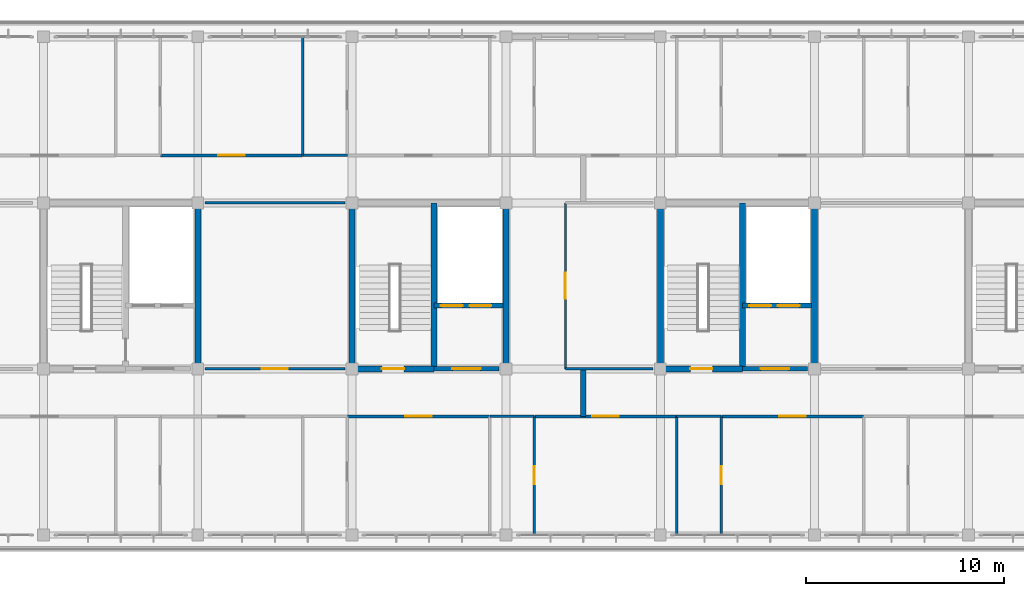
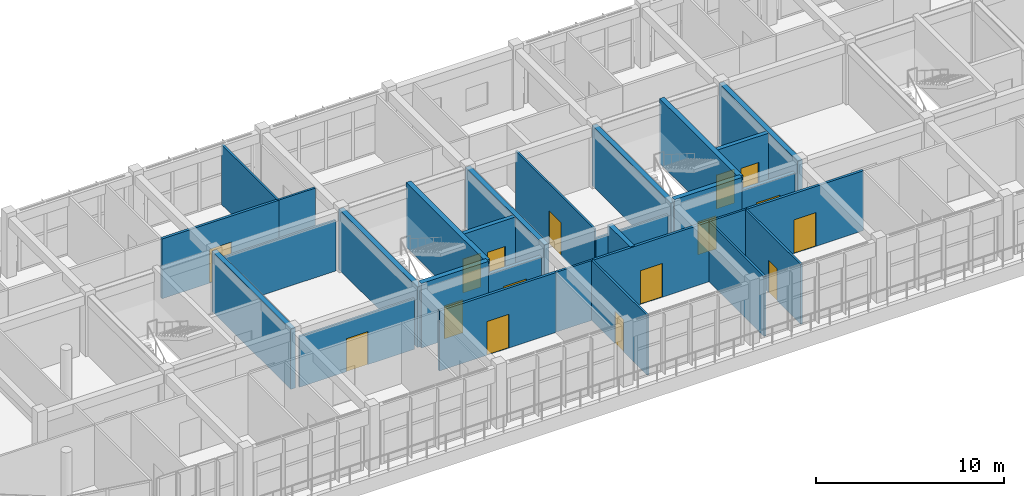
# One storey, part 43 of 50: 29 walls, 16 doors, 16 openings.
"""IFC4 building model written with IfcOpenShell, lengths in metres."""

from ifc_helpers import new_model, si_unit, direction, frame, frame_2d, origin, place, context, subcontext, project, spatial, rectangle, extrude, material, layer, layer_set, type_object, element, fill, save


model = new_model("IFC4")

# Units and contexts
model_context = context("Model", 3, precision=1e-05, world=origin(), true_north=direction((0.0, 1.0)))
body_context = subcontext(model_context, "Body", "Model", "MODEL_VIEW")
ifc_project = project(units=[si_unit("LENGTHUNIT", "METRE"), si_unit("AREAUNIT", "SQUARE_METRE"), si_unit("VOLUMEUNIT", "CUBIC_METRE"), si_unit("PLANEANGLEUNIT", "RADIAN"), si_unit("MASSUNIT", "GRAM", prefix="KILO")], contexts=[model_context])

# Site, building, storey
site_placement = place(None, origin())
site = spatial("IfcSite", under=ifc_project, at=site_placement, CompositionType="ELEMENT")
building_placement = place(site_placement, origin())
building = spatial("IfcBuilding", under=site, at=building_placement, Name="Zizhar Promenade General Hospital", CompositionType="ELEMENT")
storey_placement = place(building_placement, frame((0.0, 0.0, 30.60009765625)))
storey = spatial("IfcBuildingStorey", under=building, at=storey_placement, Name="L07", CompositionType="ELEMENT", Elevation=30.60009765625)

# Wall
ifc_material_1 = material(Name="Concrete C35/45", Category="concrete")
ifc_layer_1 = layer(ifc_material_1, 0.284912109375)
ifc_layer_set_1 = layer_set([ifc_layer_1], Name="Concrete C35/45")
wall_type_1 = type_object("IfcWallType", Name="IW-COMP-285", PredefinedType="STANDARD", material=ifc_layer_set_1)
wall_1_placement = place(storey_placement, frame((74.10009765625, 6.0, 0.0), z_axis=(0.0, 0.0, 1.0), x_axis=(0.0, 1.0, 0.0)))
element("IfcWall", 1, at=wall_1_placement, inside=storey, type_object=wall_type_1, Name="Horizontal Fire Compartment Wall South (L07)", PredefinedType="STANDARD", context=body_context, shape_type="SweptSolid", body=[
    extrude(rectangle(XDim=2.39990234375, YDim=0.284912109375, at=frame_2d((1.199951171875, 0.0))), origin(), (0.0, 0.0, 1.0), 3.89990234375),
])

# Wall, opening, door
ifc_material_2 = material(Name="Concrete C35/45", Category="concrete")
ifc_layer_2 = layer(ifc_material_2, 0.215087890625)
ifc_layer_set_2 = layer_set([ifc_layer_2], Name="Concrete C35/45")
wall_type_2 = type_object("IfcWallType", Name="IW-LOBBY-215", PredefinedType="STANDARD", material=ifc_layer_set_2)
wall_2_placement = place(storey_placement, frame((66.550048828125, 8.39990234375, 0.0), z_axis=(0.0, 0.0, 1.0), x_axis=(1.0, 0.0, 0.0)))
wall_2 = element("IfcWall", 2, at=wall_2_placement, inside=storey, type_object=wall_type_2, Name="Core C3 Lift Lobby South Fire Wall (L07)", PredefinedType="STANDARD", context=body_context, shape_type="SweptSolid", body=[
    extrude(rectangle(XDim=3.2900390625, YDim=0.215087890625, at=frame_2d((1.64501953125, 0.0))), origin(), (0.0, 0.0, 1.0), 3.304931640625),
])
opening_1_placement = place(wall_2_placement, frame((0.925048828125, 0.0, 0.0)))
opening_1 = element("IfcOpeningElement", 3, at=opening_1_placement, cuts=wall_2, Name="Opening D-23", PredefinedType="OPENING", context=body_context, shape_type="SweptSolid", body=[
    extrude(rectangle(XDim=1.43994140625, YDim=2.199951171875, at=frame_2d((0.719970703125, 1.10009765625))), frame((0.0, 0.11767578125, 0.0), z_axis=(0.0, -1.0, 0.0), x_axis=(1.0, 0.0, 0.0)), (0.0, 0.0, 1.0), 0.235107421875),
])
ifc_material_3 = material(Name="Fire-rated timber lift lobby pair", Category="wood")
door_type_1 = type_object("IfcDoorType", Name="DR-LOBBY-PR-144x220", OperationType="DOUBLE_DOOR_SINGLE_SWING", PredefinedType="DOOR", material=ifc_material_3)
door_1_placement = place(opening_1_placement, origin())
door_1 = element("IfcDoor", 4, at=door_1_placement, inside=storey, type_object=door_type_1, Name="Core C3 Protected Lift Lobby Door (L07)", OperationType="DOUBLE_DOOR_SINGLE_SWING", OverallHeight=2.199951171875, OverallWidth=1.43994140625, PredefinedType="DOOR", context=body_context, shape_type="SweptSolid", body=[
    extrude(rectangle(XDim=1.43994140625, YDim=2.199951171875, at=frame_2d((0.719970703125, 1.10009765625))), frame((0.0, 0.02490234375, 0.0), z_axis=(0.0, -1.0, 0.0), x_axis=(1.0, 0.0, 0.0)), (0.0, 0.0, 1.0), 0.050048828125),
])
fill(opening_1, door_1)

wall_3_placement = place(storey_placement, frame((82.14990234375, 8.39990234375, 0.0), z_axis=(0.0, 0.0, 1.0), x_axis=(1.0, 0.0, 0.0)))
wall_3 = element("IfcWall", 5, at=wall_3_placement, inside=storey, type_object=wall_type_2, Name="Core C4 Lift Lobby South Fire Wall (L07)", PredefinedType="STANDARD", context=body_context, shape_type="SweptSolid", body=[
    extrude(rectangle(XDim=3.2900390625, YDim=0.215087890625, at=frame_2d((1.64501953125, 0.0))), origin(), (0.0, 0.0, 1.0), 3.304931640625),
])
opening_2_placement = place(wall_3_placement, frame((0.925048828125, 0.0, 0.0)))
opening_2 = element("IfcOpeningElement", 6, at=opening_2_placement, cuts=wall_3, Name="Opening D-23", PredefinedType="OPENING", context=body_context, shape_type="SweptSolid", body=[
    extrude(rectangle(XDim=1.43994140625, YDim=2.199951171875, at=frame_2d((0.719970703125, 1.10009765625))), frame((0.0, 0.11767578125, 0.0), z_axis=(0.0, -1.0, 0.0), x_axis=(1.0, 0.0, 0.0)), (0.0, 0.0, 1.0), 0.235107421875),
])
door_2_placement = place(opening_2_placement, origin())
door_2 = element("IfcDoor", 7, at=door_2_placement, inside=storey, type_object=door_type_1, Name="Core C4 Protected Lift Lobby Door (L07)", OperationType="DOUBLE_DOOR_SINGLE_SWING", OverallHeight=2.199951171875, OverallWidth=1.43994140625, PredefinedType="DOOR", context=body_context, shape_type="SweptSolid", body=[
    extrude(rectangle(XDim=1.43994140625, YDim=2.199951171875, at=frame_2d((0.719970703125, 1.10009765625))), frame((0.0, 0.02490234375, 0.0), z_axis=(0.0, -1.0, 0.0), x_axis=(1.0, 0.0, 0.0)), (0.0, 0.0, 1.0), 0.050048828125),
])
fill(opening_2, door_2)

# Wall, openings, doors
ifc_material_4 = material(Name="Concrete C35/45", Category="concrete")
ifc_layer_3 = layer(ifc_material_4, 0.25)
ifc_layer_set_3 = layer_set([ifc_layer_3], Name="Concrete C35/45")
wall_type_3 = type_object("IfcWallType", Name="IW-SHAFT-250", PredefinedType="STANDARD", material=ifc_layer_set_3)
wall_4_placement = place(storey_placement, frame((66.550048828125, 11.60009765625, 0.0), z_axis=(0.0, 0.0, 1.0), x_axis=(1.0, 0.0, 0.0)))
wall_4 = element("IfcWall", 8, at=wall_4_placement, inside=storey, type_object=wall_type_3, Name="Core C3 Lift Shaft Landing Wall (L07)", PredefinedType="STANDARD", context=body_context, shape_type="SweptSolid", body=[
    extrude(rectangle(XDim=3.5, YDim=0.25, at=frame_2d((1.75, 0.0))), origin(), (0.0, 0.0, 1.0), 3.89990234375),
])
opening_3_placement = place(wall_4_placement, frame((0.35009765625, 0.0, 0.0)))
opening_3 = element("IfcOpeningElement", 9, at=opening_3_placement, cuts=wall_4, Name="Opening LD-11", PredefinedType="OPENING", context=body_context, shape_type="SweptSolid", body=[
    extrude(rectangle(XDim=1.10009765625, YDim=2.199951171875, at=frame_2d((0.550048828125, 1.10009765625))), frame((0.0, 0.135009765625, 0.0), z_axis=(0.0, -1.0, 0.0), x_axis=(1.0, 0.0, 0.0)), (0.0, 0.0, 1.0), 0.27001953125),
])
opening_4_placement = place(wall_4_placement, frame((1.800048828125, 0.0, 0.0)))
opening_4 = element("IfcOpeningElement", 10, at=opening_4_placement, cuts=wall_4, Name="Opening LD-11", PredefinedType="OPENING", context=body_context, shape_type="SweptSolid", body=[
    extrude(rectangle(XDim=1.10009765625, YDim=2.199951171875, at=frame_2d((0.550048828125, 1.10009765625))), frame((0.0, 0.135009765625, 0.0), z_axis=(0.0, -1.0, 0.0), x_axis=(1.0, 0.0, 0.0)), (0.0, 0.0, 1.0), 0.27001953125),
])
ifc_material_5 = material(Name="Stainless Steel S355 passenger lift landing door", Category="steel")
door_type_2 = type_object("IfcDoorType", Name="DR-LIFT-LD11", OperationType="SLIDING_TO_LEFT", PredefinedType="DOOR", material=ifc_material_5)
door_3_placement = place(opening_3_placement, origin())
door_3 = element("IfcDoor", 11, at=door_3_placement, inside=storey, type_object=door_type_2, Name="Lift LB-02 Sliding Landing Door (L07)", OperationType="SLIDING_TO_LEFT", OverallHeight=2.199951171875, OverallWidth=1.10009765625, PredefinedType="DOOR", context=body_context, shape_type="SweptSolid", body=[
    extrude(rectangle(XDim=1.10009765625, YDim=2.199951171875, at=frame_2d((0.550048828125, 1.10009765625))), frame((0.0, 0.02490234375, 0.0), z_axis=(0.0, -1.0, 0.0), x_axis=(1.0, 0.0, 0.0)), (0.0, 0.0, 1.0), 0.050048828125),
])
fill(opening_3, door_3)
door_4_placement = place(opening_4_placement, origin())
door_4 = element("IfcDoor", 12, at=door_4_placement, inside=storey, type_object=door_type_2, Name="Lift LP-02 Sliding Landing Door (L07)", OperationType="SLIDING_TO_LEFT", OverallHeight=2.199951171875, OverallWidth=1.10009765625, PredefinedType="DOOR", context=body_context, shape_type="SweptSolid", body=[
    extrude(rectangle(XDim=1.10009765625, YDim=2.199951171875, at=frame_2d((0.550048828125, 1.10009765625))), frame((0.0, 0.02490234375, 0.0), z_axis=(0.0, -1.0, 0.0), x_axis=(1.0, 0.0, 0.0)), (0.0, 0.0, 1.0), 0.050048828125),
])
fill(opening_4, door_4)

wall_5_placement = place(storey_placement, frame((82.14990234375, 11.60009765625, 0.0), z_axis=(0.0, 0.0, 1.0), x_axis=(1.0, 0.0, 0.0)))
wall_5 = element("IfcWall", 13, at=wall_5_placement, inside=storey, type_object=wall_type_3, Name="Core C4 Lift Shaft Landing Wall (L07)", PredefinedType="STANDARD", context=body_context, shape_type="SweptSolid", body=[
    extrude(rectangle(XDim=3.5, YDim=0.25, at=frame_2d((1.75, 0.0))), origin(), (0.0, 0.0, 1.0), 3.89990234375),
])
opening_5_placement = place(wall_5_placement, frame((0.35009765625, 0.0, 0.0)))
opening_5 = element("IfcOpeningElement", 14, at=opening_5_placement, cuts=wall_5, Name="Opening LD-11", PredefinedType="OPENING", context=body_context, shape_type="SweptSolid", body=[
    extrude(rectangle(XDim=1.10009765625, YDim=2.199951171875, at=frame_2d((0.550048828125, 1.10009765625))), frame((0.0, 0.135009765625, 0.0), z_axis=(0.0, -1.0, 0.0), x_axis=(1.0, 0.0, 0.0)), (0.0, 0.0, 1.0), 0.27001953125),
])
opening_6_placement = place(wall_5_placement, frame((1.800048828125, 0.0, 0.0)))
opening_6 = element("IfcOpeningElement", 15, at=opening_6_placement, cuts=wall_5, Name="Opening LD-11", PredefinedType="OPENING", context=body_context, shape_type="SweptSolid", body=[
    extrude(rectangle(XDim=1.10009765625, YDim=2.199951171875, at=frame_2d((0.550048828125, 1.10009765625))), frame((0.0, 0.135009765625, 0.0), z_axis=(0.0, -1.0, 0.0), x_axis=(1.0, 0.0, 0.0)), (0.0, 0.0, 1.0), 0.27001953125),
])
door_5_placement = place(opening_5_placement, origin())
door_5 = element("IfcDoor", 16, at=door_5_placement, inside=storey, type_object=door_type_2, Name="Lift LB-03 Sliding Landing Door (L07)", OperationType="SLIDING_TO_LEFT", OverallHeight=2.199951171875, OverallWidth=1.10009765625, PredefinedType="DOOR", context=body_context, shape_type="SweptSolid", body=[
    extrude(rectangle(XDim=1.10009765625, YDim=2.199951171875, at=frame_2d((0.550048828125, 1.10009765625))), frame((0.0, 0.02490234375, 0.0), z_axis=(0.0, -1.0, 0.0), x_axis=(1.0, 0.0, 0.0)), (0.0, 0.0, 1.0), 0.050048828125),
])
fill(opening_5, door_5)
door_6_placement = place(opening_6_placement, origin())
door_6 = element("IfcDoor", 17, at=door_6_placement, inside=storey, type_object=door_type_2, Name="Lift LP-03 Sliding Landing Door (L07)", OperationType="SLIDING_TO_LEFT", OverallHeight=2.199951171875, OverallWidth=1.10009765625, PredefinedType="DOOR", context=body_context, shape_type="SweptSolid", body=[
    extrude(rectangle(XDim=1.10009765625, YDim=2.199951171875, at=frame_2d((0.550048828125, 1.10009765625))), frame((0.0, 0.02490234375, 0.0), z_axis=(0.0, -1.0, 0.0), x_axis=(1.0, 0.0, 0.0)), (0.0, 0.0, 1.0), 0.050048828125),
])
fill(opening_6, door_6)

# Wall, opening, door
ifc_material_6 = material(Name="Clean utility gypsum partition")
ifc_layer_4 = layer(ifc_material_6, 0.114990234375)
ifc_layer_set_4 = layer_set([ifc_layer_4], Name="Clean utility gypsum partition")
wall_type_4 = type_object("IfcWallType", Name="IW-STR-115", PredefinedType="PARTITIONING", material=ifc_layer_set_4)
wall_6_placement = place(storey_placement, frame((54.9599609375, 8.39990234375, 0.0), z_axis=(0.0, 0.0, 1.0), x_axis=(1.0, 0.0, 0.0)))
wall_6 = element("IfcWall", 18, at=wall_6_placement, inside=storey, type_object=wall_type_4, Name="Nurse Station and Medication Room L07 S Partition", PredefinedType="PARTITIONING", context=body_context, shape_type="SweptSolid", body=[
    extrude(rectangle(XDim=7.080078125, YDim=0.114990234375, at=frame_2d((3.5400390625, 0.0))), origin(), (0.0, 0.0, 1.0), 3.304931640625),
])
opening_7_placement = place(wall_6_placement, frame((2.8798828125, 0.0, 0.0)))
opening_7 = element("IfcOpeningElement", 19, at=opening_7_placement, cuts=wall_6, Name="Opening D-26", PredefinedType="OPENING", context=body_context, shape_type="SweptSolid", body=[
    extrude(rectangle(XDim=1.320068359375, YDim=2.14990234375, at=frame_2d((0.66015625, 1.074951171875))), frame((0.0, 0.0673828125, 0.0), z_axis=(0.0, -1.0, 0.0), x_axis=(1.0, 0.0, 0.0)), (0.0, 0.0, 1.0), 0.135009765625),
])
ifc_material_7 = material(Name="Fire-rated timber store leaf", Category="wood")
door_type_3 = type_object("IfcDoorType", Name="DR-STORE-132x215", OperationType="NOTDEFINED", PredefinedType="DOOR", material=ifc_material_7)
door_7_placement = place(opening_7_placement, origin())
door_7 = element("IfcDoor", 20, at=door_7_placement, inside=storey, type_object=door_type_3, Name="Nurse Station and Medication Room L07 Door", OperationType="SINGLE_SWING_RIGHT", OverallHeight=2.14990234375, OverallWidth=1.320068359375, PredefinedType="DOOR", context=body_context, shape_type="SweptSolid", body=[
    extrude(rectangle(XDim=1.320068359375, YDim=2.14990234375, at=frame_2d((0.66015625, 1.074951171875))), frame((0.0, 0.02490234375, 0.0), z_axis=(0.0, -1.0, 0.0), x_axis=(1.0, 0.0, 0.0)), (0.0, 0.0, 1.0), 0.050048828125),
])
fill(opening_7, door_7)

# Walls
wall_7_placement = place(storey_placement, frame((54.9599609375, 16.800048828125, 0.0), z_axis=(0.0, 0.0, 1.0), x_axis=(1.0, 0.0, 0.0)))
element("IfcWall", 21, at=wall_7_placement, inside=storey, type_object=wall_type_4, Name="Nurse Station and Medication Room L07 N Partition", PredefinedType="PARTITIONING", context=body_context, shape_type="SweptSolid", body=[
    extrude(rectangle(XDim=7.080078125, YDim=0.114990234375, at=frame_2d((3.5400390625, 0.0))), origin(), (0.0, 0.0, 1.0), 3.304931640625),
])
wall_8_placement = place(storey_placement, frame((73.199951171875, 8.39990234375, 0.0), z_axis=(0.0, 0.0, 1.0), x_axis=(1.0, 0.0, 0.0)))
element("IfcWall", 22, at=wall_8_placement, inside=storey, type_object=wall_type_4, Name="Obstetric Assessment Room S Partition", PredefinedType="PARTITIONING", context=body_context, shape_type="SweptSolid", body=[
    extrude(rectangle(XDim=4.43994140625, YDim=0.114990234375, at=frame_2d((2.219970703125, 0.0))), origin(), (0.0, 0.0, 1.0), 3.304931640625),
])

# Wall, opening, door
wall_9_placement = place(storey_placement, frame((73.199951171875, 8.39990234375, 0.0), z_axis=(0.0, 0.0, 1.0), x_axis=(0.0, 1.0, 0.0)))
wall_9 = element("IfcWall", 23, at=wall_9_placement, inside=storey, type_object=wall_type_4, Name="Obstetric Assessment Room W Partition", PredefinedType="PARTITIONING", context=body_context, shape_type="SweptSolid", body=[
    extrude(rectangle(XDim=8.400146484375, YDim=0.114990234375, at=frame_2d((4.2001953125, 0.0))), origin(), (0.0, 0.0, 1.0), 3.89990234375),
])
opening_8_placement = place(wall_9_placement, frame((3.5400390625, 0.0, 0.0)))
opening_8 = element("IfcOpeningElement", 24, at=opening_8_placement, cuts=wall_9, Name="Opening D-26", PredefinedType="OPENING", context=body_context, shape_type="SweptSolid", body=[
    extrude(rectangle(XDim=1.320068359375, YDim=2.14990234375, at=frame_2d((0.66015625, 1.074951171875))), frame((0.0, 0.0673828125, 0.0), z_axis=(0.0, -1.0, 0.0), x_axis=(1.0, 0.0, 0.0)), (0.0, 0.0, 1.0), 0.135009765625),
])
door_8_placement = place(opening_8_placement, origin())
door_8 = element("IfcDoor", 25, at=door_8_placement, inside=storey, type_object=door_type_3, Name="Obstetric Assessment Room Door", OperationType="SINGLE_SWING_LEFT", OverallHeight=2.14990234375, OverallWidth=1.320068359375, PredefinedType="DOOR", context=body_context, shape_type="SweptSolid", body=[
    extrude(rectangle(XDim=1.320068359375, YDim=2.14990234375, at=frame_2d((0.66015625, 1.074951171875))), frame((0.0, 0.02490234375, 0.0), z_axis=(0.0, -1.0, 0.0), x_axis=(1.0, 0.0, 0.0)), (0.0, 0.0, 1.0), 0.050048828125),
])
fill(opening_8, door_8)

ifc_material_8 = material(Name="Acoustic patient bedroom partition")
ifc_layer_5 = layer(ifc_material_8, 0.155029296875)
ifc_layer_set_5 = layer_set([ifc_layer_5], Name="Acoustic patient bedroom partition")
wall_type_5 = type_object("IfcWallType", Name="IW-WARD-155", PredefinedType="PARTITIONING", material=ifc_layer_set_5)
wall_10_placement = place(storey_placement, frame((52.717041015625, 19.199951171875, 0.0), z_axis=(0.0, 0.0, 1.0), x_axis=(1.0, 0.0, 0.0)))
wall_10 = element("IfcWall", 26, at=wall_10_placement, inside=storey, type_object=wall_type_5, Name="Neonatal Care Nursery Suite L07-N02 S Partition", PredefinedType="PARTITIONING", context=body_context, shape_type="SweptSolid", body=[
    extrude(rectangle(XDim=7.18701171875, YDim=0.155029296875, at=frame_2d((3.593505859375, 0.0))), origin(), (0.0, 0.0, 1.0), 3.89990234375),
])
opening_9_placement = place(wall_10_placement, frame((2.91845703125, 0.0, 0.0)))
opening_9 = element("IfcOpeningElement", 27, at=opening_9_placement, cuts=wall_10, Name="Opening D-08", PredefinedType="OPENING", context=body_context, shape_type="SweptSolid", body=[
    extrude(rectangle(XDim=1.35009765625, YDim=2.199951171875, at=frame_2d((0.675048828125, 1.10009765625))), frame((0.0, 0.08740234375, 0.0), z_axis=(0.0, -1.0, 0.0), x_axis=(1.0, 0.0, 0.0)), (0.0, 0.0, 1.0), 0.175048828125),
])
ifc_material_9 = material(Name="Fire-rated timber maternity bed leaf", Category="wood")
door_type_4 = type_object("IfcDoorType", Name="DR-BED-MAT-135x220", OperationType="NOTDEFINED", PredefinedType="DOOR", material=ifc_material_9)
door_9_placement = place(opening_9_placement, origin())
door_9 = element("IfcDoor", 28, at=door_9_placement, inside=storey, type_object=door_type_4, Name="Neonatal Care Nursery Suite L07-N02 Door", OperationType="SINGLE_SWING_LEFT", OverallHeight=2.199951171875, OverallWidth=1.35009765625, PredefinedType="DOOR", context=body_context, shape_type="SweptSolid", body=[
    extrude(rectangle(XDim=1.35009765625, YDim=2.199951171875, at=frame_2d((0.675048828125, 1.10009765625))), frame((0.0, 0.02490234375, 0.0), z_axis=(0.0, -1.0, 0.0), x_axis=(1.0, 0.0, 0.0)), (0.0, 0.0, 1.0), 0.050048828125),
])
fill(opening_9, door_9)

wall_11_placement = place(storey_placement, frame((62.174072265625, 6.0, 0.0), z_axis=(0.0, 0.0, 1.0), x_axis=(1.0, 0.0, 0.0)))
wall_11 = element("IfcWall", 29, at=wall_11_placement, inside=storey, type_object=wall_type_5, Name="Maternity Inpatient Ward L07-S03 N Partition", PredefinedType="PARTITIONING", context=body_context, shape_type="SweptSolid", body=[
    extrude(rectangle(XDim=7.18701171875, YDim=0.155029296875, at=frame_2d((3.593505859375, 0.0))), origin(), (0.0, 0.0, 1.0), 3.89990234375),
])
opening_10_placement = place(wall_11_placement, frame((2.91845703125, 0.0, 0.0)))
opening_10 = element("IfcOpeningElement", 30, at=opening_10_placement, cuts=wall_11, Name="Opening D-08", PredefinedType="OPENING", context=body_context, shape_type="SweptSolid", body=[
    extrude(rectangle(XDim=1.35009765625, YDim=2.199951171875, at=frame_2d((0.675048828125, 1.10009765625))), frame((0.0, 0.08740234375, 0.0), z_axis=(0.0, -1.0, 0.0), x_axis=(1.0, 0.0, 0.0)), (0.0, 0.0, 1.0), 0.175048828125),
])
door_10_placement = place(opening_10_placement, origin())
door_10 = element("IfcDoor", 31, at=door_10_placement, inside=storey, type_object=door_type_4, Name="Maternity Inpatient Ward L07-S03 Door", OperationType="SINGLE_SWING_RIGHT", OverallHeight=2.199951171875, OverallWidth=1.35009765625, PredefinedType="DOOR", context=body_context, shape_type="SweptSolid", body=[
    extrude(rectangle(XDim=1.35009765625, YDim=2.199951171875, at=frame_2d((0.675048828125, 1.10009765625))), frame((0.0, 0.02490234375, 0.0), z_axis=(0.0, -1.0, 0.0), x_axis=(1.0, 0.0, 0.0)), (0.0, 0.0, 1.0), 0.050048828125),
])
fill(opening_10, door_10)

wall_12_placement = place(storey_placement, frame((71.631103515625, 6.0, 0.0), z_axis=(0.0, 0.0, 1.0), x_axis=(1.0, 0.0, 0.0)))
wall_12 = element("IfcWall", 32, at=wall_12_placement, inside=storey, type_object=wall_type_5, Name="Neonatal Care Nursery Suite L07-S04 N Partition", PredefinedType="PARTITIONING", context=body_context, shape_type="SweptSolid", body=[
    extrude(rectangle(XDim=7.18798828125, YDim=0.155029296875, at=frame_2d((3.593994140625, 0.0))), origin(), (0.0, 0.0, 1.0), 3.89990234375),
])
opening_11_placement = place(wall_12_placement, frame((2.9189453125, 0.0, 0.0)))
opening_11 = element("IfcOpeningElement", 33, at=opening_11_placement, cuts=wall_12, Name="Opening D-08", PredefinedType="OPENING", context=body_context, shape_type="SweptSolid", body=[
    extrude(rectangle(XDim=1.35009765625, YDim=2.199951171875, at=frame_2d((0.675048828125, 1.10009765625))), frame((0.0, 0.08740234375, 0.0), z_axis=(0.0, -1.0, 0.0), x_axis=(1.0, 0.0, 0.0)), (0.0, 0.0, 1.0), 0.175048828125),
])
door_11_placement = place(opening_11_placement, origin())
door_11 = element("IfcDoor", 34, at=door_11_placement, inside=storey, type_object=door_type_4, Name="Neonatal Care Nursery Suite L07-S04 Door", OperationType="SINGLE_SWING_RIGHT", OverallHeight=2.199951171875, OverallWidth=1.35009765625, PredefinedType="DOOR", context=body_context, shape_type="SweptSolid", body=[
    extrude(rectangle(XDim=1.35009765625, YDim=2.199951171875, at=frame_2d((0.675048828125, 1.10009765625))), frame((0.0, 0.02490234375, 0.0), z_axis=(0.0, -1.0, 0.0), x_axis=(1.0, 0.0, 0.0)), (0.0, 0.0, 1.0), 0.050048828125),
])
fill(opening_11, door_11)

wall_13_placement = place(storey_placement, frame((81.089111328125, 6.0, 0.0), z_axis=(0.0, 0.0, 1.0), x_axis=(1.0, 0.0, 0.0)))
wall_13 = element("IfcWall", 35, at=wall_13_placement, inside=storey, type_object=wall_type_5, Name="Maternity Inpatient Ward L07-S05 N Partition", PredefinedType="PARTITIONING", context=body_context, shape_type="SweptSolid", body=[
    extrude(rectangle(XDim=7.186767578125, YDim=0.155029296875, at=frame_2d((3.59326171875, 0.0))), origin(), (0.0, 0.0, 1.0), 3.89990234375),
])
opening_12_placement = place(wall_13_placement, frame((2.91845703125, 0.0, 0.0)))
opening_12 = element("IfcOpeningElement", 36, at=opening_12_placement, cuts=wall_13, Name="Opening D-08", PredefinedType="OPENING", context=body_context, shape_type="SweptSolid", body=[
    extrude(rectangle(XDim=1.35009765625, YDim=2.199951171875, at=frame_2d((0.675048828125, 1.10009765625))), frame((0.0, 0.08740234375, 0.0), z_axis=(0.0, -1.0, 0.0), x_axis=(1.0, 0.0, 0.0)), (0.0, 0.0, 1.0), 0.175048828125),
])
door_12_placement = place(opening_12_placement, origin())
door_12 = element("IfcDoor", 37, at=door_12_placement, inside=storey, type_object=door_type_4, Name="Maternity Inpatient Ward L07-S05 Door", OperationType="SINGLE_SWING_RIGHT", OverallHeight=2.199951171875, OverallWidth=1.35009765625, PredefinedType="DOOR", context=body_context, shape_type="SweptSolid", body=[
    extrude(rectangle(XDim=1.35009765625, YDim=2.199951171875, at=frame_2d((0.675048828125, 1.10009765625))), frame((0.0, 0.02490234375, 0.0), z_axis=(0.0, -1.0, 0.0), x_axis=(1.0, 0.0, 0.0)), (0.0, 0.0, 1.0), 0.050048828125),
])
fill(opening_12, door_12)

# Walls
ifc_material_10 = material(Name="Moisture-resistant en-suite wet partition")
ifc_layer_6 = layer(ifc_material_10, 0.125)
ifc_layer_set_6 = layer_set([ifc_layer_6], Name="Moisture-resistant en-suite wet partition")
wall_type_6 = type_object("IfcWallType", Name="IW-WET-125", PredefinedType="PARTITIONING", material=ifc_layer_set_6)
wall_14_placement = place(storey_placement, frame((59.914306640625, 19.199951171875, 0.0), z_axis=(0.0, 0.0, 1.0), x_axis=(1.0, 0.0, 0.0)))
element("IfcWall", 38, at=wall_14_placement, inside=storey, type_object=wall_type_6, Name="En-Suite Patient Bathroom L07-N03 S Partition", PredefinedType="PARTITIONING", context=body_context, shape_type="SweptSolid", body=[
    extrude(rectangle(XDim=2.25, YDim=0.125, at=frame_2d((1.125, 0.0))), origin(), (0.0, 0.0, 1.0), 3.89990234375),
])
wall_15_placement = place(storey_placement, frame((59.914306640625, 19.199951171875, 0.0), z_axis=(0.0, 0.0, 1.0), x_axis=(0.0, 1.0, 0.0)))
element("IfcWall", 39, at=wall_15_placement, inside=storey, type_object=wall_type_6, Name="En-Suite Patient Bathroom L07-N03 W Partition", PredefinedType="PARTITIONING", context=body_context, shape_type="SweptSolid", body=[
    extrude(rectangle(XDim=5.955078125, YDim=0.125, at=frame_2d((2.9775390625, 0.0))), origin(), (0.0, 0.0, 1.0), 3.89990234375),
])
wall_16_placement = place(storey_placement, frame((69.371337890625, 6.0, 0.0), z_axis=(0.0, 0.0, 1.0), x_axis=(1.0, 0.0, 0.0)))
element("IfcWall", 40, at=wall_16_placement, inside=storey, type_object=wall_type_6, Name="En-Suite Patient Bathroom L07-S04 N Partition", PredefinedType="PARTITIONING", context=body_context, shape_type="SweptSolid", body=[
    extrude(rectangle(XDim=2.25, YDim=0.125, at=frame_2d((1.125, 0.0))), origin(), (0.0, 0.0, 1.0), 3.89990234375),
])

# Wall, opening, door
wall_17_placement = place(storey_placement, frame((71.621337890625, 0.044921875, 0.0), z_axis=(0.0, 0.0, 1.0), x_axis=(0.0, 1.0, 0.0)))
wall_17 = element("IfcWall", 41, at=wall_17_placement, inside=storey, type_object=wall_type_6, Name="En-Suite Patient Bathroom L07-S04 E Partition", PredefinedType="PARTITIONING", context=body_context, shape_type="SweptSolid", body=[
    extrude(rectangle(XDim=5.955078125, YDim=0.125, at=frame_2d((2.9775390625, 0.0))), origin(), (0.0, 0.0, 1.0), 3.89990234375),
])
opening_13_placement = place(wall_17_placement, frame((2.517578125, 0.0, 0.0)))
opening_13 = element("IfcOpeningElement", 42, at=opening_13_placement, cuts=wall_17, Name="Opening D-18", PredefinedType="OPENING", context=body_context, shape_type="SweptSolid", body=[
    extrude(rectangle(XDim=0.919921875, YDim=2.10009765625, at=frame_2d((0.4599609375, 1.050048828125))), frame((0.0, 0.072509765625, 0.0), z_axis=(0.0, -1.0, 0.0), x_axis=(1.0, 0.0, 0.0)), (0.0, 0.0, 1.0), 0.14501953125),
])
ifc_material_11 = material(Name="Moisture-resistant timber en-suite leaf", Category="wood")
door_type_5 = type_object("IfcDoorType", Name="DR-ENS-STD-092x210", OperationType="NOTDEFINED", PredefinedType="DOOR", material=ifc_material_11)
door_13_placement = place(opening_13_placement, origin())
door_13 = element("IfcDoor", 43, at=door_13_placement, inside=storey, type_object=door_type_5, Name="En-Suite Patient Bathroom L07-S04 Door", OperationType="SINGLE_SWING_RIGHT", OverallHeight=2.10009765625, OverallWidth=0.919921875, PredefinedType="DOOR", context=body_context, shape_type="SweptSolid", body=[
    extrude(rectangle(XDim=0.919921875, YDim=2.10009765625, at=frame_2d((0.4599609375, 1.050048828125))), frame((0.0, 0.02490234375, 0.0), z_axis=(0.0, -1.0, 0.0), x_axis=(1.0, 0.0, 0.0)), (0.0, 0.0, 1.0), 0.050048828125),
])
fill(opening_13, door_13)

# Walls
wall_18_placement = place(storey_placement, frame((78.82861328125, 6.0, 0.0), z_axis=(0.0, 0.0, 1.0), x_axis=(1.0, 0.0, 0.0)))
element("IfcWall", 44, at=wall_18_placement, inside=storey, type_object=wall_type_6, Name="En-Suite Patient Bathroom L07-S05 N Partition", PredefinedType="PARTITIONING", context=body_context, shape_type="SweptSolid", body=[
    extrude(rectangle(XDim=2.25, YDim=0.125, at=frame_2d((1.125, 0.0))), origin(), (0.0, 0.0, 1.0), 3.89990234375),
])
wall_19_placement = place(storey_placement, frame((78.82861328125, 0.044921875, 0.0), z_axis=(0.0, 0.0, 1.0), x_axis=(0.0, 1.0, 0.0)))
element("IfcWall", 45, at=wall_19_placement, inside=storey, type_object=wall_type_6, Name="En-Suite Patient Bathroom L07-S05 W Partition", PredefinedType="PARTITIONING", context=body_context, shape_type="SweptSolid", body=[
    extrude(rectangle(XDim=5.955078125, YDim=0.125, at=frame_2d((2.9775390625, 0.0))), origin(), (0.0, 0.0, 1.0), 3.89990234375),
])

# Wall, opening, door
wall_20_placement = place(storey_placement, frame((81.07861328125, 0.044921875, 0.0), z_axis=(0.0, 0.0, 1.0), x_axis=(0.0, 1.0, 0.0)))
wall_20 = element("IfcWall", 46, at=wall_20_placement, inside=storey, type_object=wall_type_6, Name="En-Suite Patient Bathroom L07-S05 E Partition", PredefinedType="PARTITIONING", context=body_context, shape_type="SweptSolid", body=[
    extrude(rectangle(XDim=5.955078125, YDim=0.125, at=frame_2d((2.9775390625, 0.0))), origin(), (0.0, 0.0, 1.0), 3.89990234375),
])
opening_14_placement = place(wall_20_placement, frame((2.517578125, 0.0, 0.0)))
opening_14 = element("IfcOpeningElement", 47, at=opening_14_placement, cuts=wall_20, Name="Opening D-18", PredefinedType="OPENING", context=body_context, shape_type="SweptSolid", body=[
    extrude(rectangle(XDim=0.919921875, YDim=2.10009765625, at=frame_2d((0.4599609375, 1.050048828125))), frame((0.0, 0.072509765625, 0.0), z_axis=(0.0, -1.0, 0.0), x_axis=(1.0, 0.0, 0.0)), (0.0, 0.0, 1.0), 0.14501953125),
])
door_14_placement = place(opening_14_placement, origin())
door_14 = element("IfcDoor", 48, at=door_14_placement, inside=storey, type_object=door_type_5, Name="En-Suite Patient Bathroom L07-S05 Door", OperationType="SINGLE_SWING_RIGHT", OverallHeight=2.10009765625, OverallWidth=0.919921875, PredefinedType="DOOR", context=body_context, shape_type="SweptSolid", body=[
    extrude(rectangle(XDim=0.919921875, YDim=2.10009765625, at=frame_2d((0.4599609375, 1.050048828125))), frame((0.0, 0.02490234375, 0.0), z_axis=(0.0, -1.0, 0.0), x_axis=(1.0, 0.0, 0.0)), (0.0, 0.0, 1.0), 0.050048828125),
])
fill(opening_14, door_14)

# Walls
ifc_material_12 = material(Name="Concrete C40/50", Category="concrete")
ifc_layer_7 = layer(ifc_material_12, 0.300048828125)
ifc_layer_set_7 = layer_set([ifc_layer_7], Name="Concrete C40/50")
wall_type_7 = type_object("IfcWallType", Name="WL-CORE-300", PredefinedType="SHEAR", material=ifc_layer_set_7)
for number, where, z_axis, x_axis, name in (
    (49, (54.60009765625, 8.39990234375, 0.0), (0.0, 0.0, 1.0), (0.0, 1.0, 0.0), "Core C2 East Shear Wall L07"),
    (50, (62.39990234375, 8.39990234375, 0.0), (0.0, 0.0, 1.0), (0.0, 1.0, 0.0), "Core C3 West Shear Wall L07"),
    (51, (70.199951171875, 8.39990234375, 0.0), (0.0, 0.0, 1.0), (0.0, 1.0, 0.0), "Core C3 East Shear Wall L07"),
    (52, (78.0, 8.39990234375, 0.0), (0.0, 0.0, 1.0), (0.0, 1.0, 0.0), "Core C4 West Shear Wall L07"),
    (53, (85.800048828125, 8.39990234375, 0.0), (0.0, 0.0, 1.0), (0.0, 1.0, 0.0), "Core C4 East Shear Wall L07"),
):
    element("IfcWall", number, at=place(storey_placement, frame(where, z_axis=z_axis, x_axis=x_axis)), inside=storey, type_object=wall_type_7, Name=name, PredefinedType="SHEAR", context=body_context, shape_type="SweptSolid", body=[
        extrude(rectangle(XDim=8.400146484375, YDim=0.300048828125, at=frame_2d((4.2001953125, 0.0))), origin(), (0.0, 0.0, 1.0), 3.919921875),
    ])

# Wall, opening, door
wall_21_placement = place(storey_placement, frame((62.39990234375, 8.39990234375, 0.0), z_axis=(0.0, 0.0, 1.0), x_axis=(1.0, 0.0, 0.0)))
wall_21 = element("IfcWall", 54, at=wall_21_placement, inside=storey, type_object=wall_type_7, Name="Core C3 Stair South Fire Wall (L07)", PredefinedType="SHEAR", context=body_context, shape_type="SweptSolid", body=[
    extrude(rectangle(XDim=4.150146484375, YDim=0.300048828125, at=frame_2d((2.0751953125, 0.0))), origin(), (0.0, 0.0, 1.0), 4.199951171875),
])
opening_15_placement = place(wall_21_placement, frame((1.514892578125, 0.0, 0.0)))
opening_15 = element("IfcOpeningElement", 55, at=opening_15_placement, cuts=wall_21, Name="Opening D-21", PredefinedType="OPENING", context=body_context, shape_type="SweptSolid", body=[
    extrude(rectangle(XDim=1.1201171875, YDim=2.14990234375, at=frame_2d((0.56005859375, 1.074951171875))), frame((0.0, 0.16015625, 0.0), z_axis=(0.0, -1.0, 0.0), x_axis=(1.0, 0.0, 0.0)), (0.0, 0.0, 1.0), 0.320068359375),
])
ifc_material_13 = material(Name="Steel S355 protected stair door", Category="steel")
door_type_6 = type_object("IfcDoorType", Name="DR-STAIR-112x215", OperationType="NOTDEFINED", PredefinedType="DOOR", material=ifc_material_13)
door_15_placement = place(opening_15_placement, origin())
door_15 = element("IfcDoor", 56, at=door_15_placement, inside=storey, type_object=door_type_6, Name="Exit Stair ST-03 Door (L07)", OperationType="SINGLE_SWING_RIGHT", OverallHeight=2.14990234375, OverallWidth=1.1201171875, PredefinedType="DOOR", context=body_context, shape_type="SweptSolid", body=[
    extrude(rectangle(XDim=1.1201171875, YDim=2.14990234375, at=frame_2d((0.56005859375, 1.074951171875))), frame((0.0, 0.02490234375, 0.0), z_axis=(0.0, -1.0, 0.0), x_axis=(1.0, 0.0, 0.0)), (0.0, 0.0, 1.0), 0.050048828125),
])
fill(opening_15, door_15)

# Wall
wall_22_placement = place(storey_placement, frame((66.550048828125, 8.39990234375, 0.0), z_axis=(0.0, 0.0, 1.0), x_axis=(0.0, 1.0, 0.0)))
element("IfcWall", 57, at=wall_22_placement, inside=storey, type_object=wall_type_7, Name="Core C3 Stair-Shaft Separation Wall (L07)", PredefinedType="SHEAR", context=body_context, shape_type="SweptSolid", body=[
    extrude(rectangle(XDim=8.400146484375, YDim=0.300048828125, at=frame_2d((4.2001953125, 0.0))), origin(), (0.0, 0.0, 1.0), 4.199951171875),
])

# Wall, opening, door
wall_23_placement = place(storey_placement, frame((78.0, 8.39990234375, 0.0), z_axis=(0.0, 0.0, 1.0), x_axis=(1.0, 0.0, 0.0)))
wall_23 = element("IfcWall", 58, at=wall_23_placement, inside=storey, type_object=wall_type_7, Name="Core C4 Stair South Fire Wall (L07)", PredefinedType="SHEAR", context=body_context, shape_type="SweptSolid", body=[
    extrude(rectangle(XDim=4.14990234375, YDim=0.300048828125, at=frame_2d((2.074951171875, 0.0))), origin(), (0.0, 0.0, 1.0), 4.199951171875),
])
opening_16_placement = place(wall_23_placement, frame((1.514892578125, 0.0, 0.0)))
opening_16 = element("IfcOpeningElement", 59, at=opening_16_placement, cuts=wall_23, Name="Opening D-21", PredefinedType="OPENING", context=body_context, shape_type="SweptSolid", body=[
    extrude(rectangle(XDim=1.1201171875, YDim=2.14990234375, at=frame_2d((0.56005859375, 1.074951171875))), frame((0.0, 0.16015625, 0.0), z_axis=(0.0, -1.0, 0.0), x_axis=(1.0, 0.0, 0.0)), (0.0, 0.0, 1.0), 0.320068359375),
])
door_16_placement = place(opening_16_placement, origin())
door_16 = element("IfcDoor", 60, at=door_16_placement, inside=storey, type_object=door_type_6, Name="Exit Stair ST-04 Door (L07)", OperationType="SINGLE_SWING_RIGHT", OverallHeight=2.14990234375, OverallWidth=1.1201171875, PredefinedType="DOOR", context=body_context, shape_type="SweptSolid", body=[
    extrude(rectangle(XDim=1.1201171875, YDim=2.14990234375, at=frame_2d((0.56005859375, 1.074951171875))), frame((0.0, 0.02490234375, 0.0), z_axis=(0.0, -1.0, 0.0), x_axis=(1.0, 0.0, 0.0)), (0.0, 0.0, 1.0), 0.050048828125),
])
fill(opening_16, door_16)

# Wall
wall_24_placement = place(storey_placement, frame((82.14990234375, 8.39990234375, 0.0), z_axis=(0.0, 0.0, 1.0), x_axis=(0.0, 1.0, 0.0)))
element("IfcWall", 61, at=wall_24_placement, inside=storey, type_object=wall_type_7, Name="Core C4 Stair-Shaft Separation Wall (L07)", PredefinedType="SHEAR", context=body_context, shape_type="SweptSolid", body=[
    extrude(rectangle(XDim=8.400146484375, YDim=0.300048828125, at=frame_2d((4.2001953125, 0.0))), origin(), (0.0, 0.0, 1.0), 4.199951171875),
])

save(model, "model.ifc")
